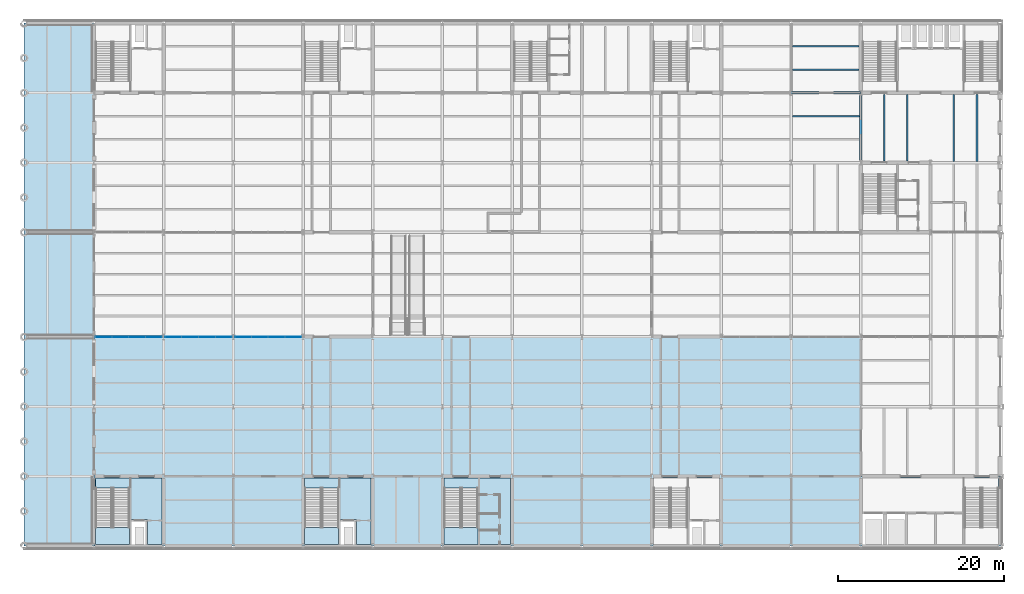
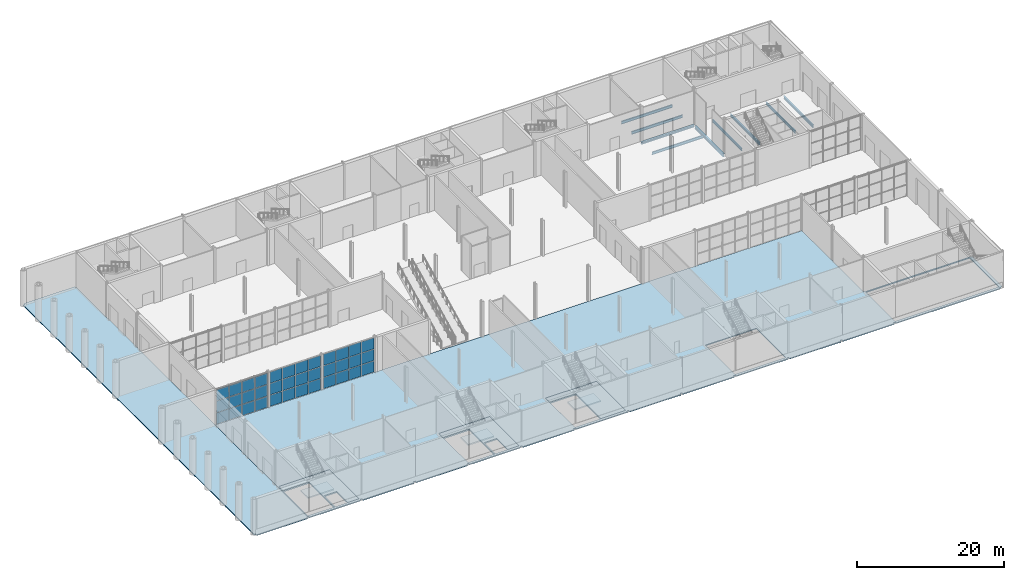
# One storey, part 26 of 55: 36 plates, 9 beams, 8 slabs, 6 elements without a shape of their own.
"""IFC4 building model written with IfcOpenShell, lengths in metres."""

from ifc_helpers import new_model, si_unit, direction, frame, origin, origin_2d, place, context, subcontext, project, spatial, polyline, rectangle, i_section, outline, extrude, material, layer, layer_set, material_profile, profile_set, type_object, element, aggregate, save


model = new_model("IFC4")

# Units and contexts
model_context = context("Model", 3, precision=1e-05, world=origin(), true_north=direction((0.0, 1.0)))
body_context = subcontext(model_context, "Body", "Model", "MODEL_VIEW")
ifc_project = project(units=[si_unit("LENGTHUNIT", "METRE"), si_unit("AREAUNIT", "SQUARE_METRE"), si_unit("VOLUMEUNIT", "CUBIC_METRE"), si_unit("PLANEANGLEUNIT", "RADIAN"), si_unit("MASSUNIT", "GRAM", prefix="KILO")], contexts=[model_context])

# Site, building, storey
site_placement = place(None, origin())
site = spatial("IfcSite", under=ifc_project, at=site_placement, CompositionType="ELEMENT")
building_placement = place(site_placement, origin())
building = spatial("IfcBuilding", under=site, at=building_placement, Name="Galleria Vessillo Department Store", CompositionType="ELEMENT")
storey_placement = place(building_placement, origin())
storey = spatial("IfcBuildingStorey", under=building, at=storey_placement, Name="L00", CompositionType="ELEMENT", Elevation=0.0)

# Beams
ifc_material_1 = material(Name="Steel S355 J2", Category="steel")
ifc_material_profile_1 = material_profile(ifc_material_1, i_section(OverallWidth=0.300048828125, OverallDepth=0.489990234375, WebThickness=0.011962890625, FlangeThickness=0.02294921875, FilletRadius=0.027099609375, at=origin_2d()), Name="HEA 500")
ifc_profile_set_1 = profile_set([ifc_material_profile_1], Name="Steel S355 J2")
beam_type_1 = type_object("IfcBeamType", Name="Floor girder HEA 500", PredefinedType="BEAM", material=ifc_profile_set_1)
beam_1_placement = place(storey_placement, frame((100.800048828125, 46.486083984375, -0.39501953125), z_axis=(0.0, 1.0, 0.0), x_axis=(-1.0, 0.0, 0.0)))
element("IfcBeam", 1, at=beam_1_placement, inside=storey, type_object=beam_type_1, Name="S-BM-L00-GI-y100800-46486", PredefinedType="BEAM", context=body_context, shape_type="SweptSolid", body=[
    extrude(i_section(OverallWidth=0.300048828125, OverallDepth=0.489990234375, WebThickness=0.011962890625, FlangeThickness=0.02294921875, FilletRadius=0.027099609375, at=origin_2d()), origin(), (0.0, 0.0, 1.0), 7.827880859375),
])
ifc_material_2 = material(Name="Steel S355 J2", Category="steel")
ifc_material_profile_2 = material_profile(ifc_material_2, i_section(OverallWidth=0.18994140625, OverallDepth=0.449951171875, WebThickness=0.009521484375, FlangeThickness=0.0146484375, FilletRadius=0.02099609375, at=origin_2d()), Name="IPE 450")
ifc_profile_set_2 = profile_set([ifc_material_profile_2], Name="Steel S355 J2")
beam_type_2 = type_object("IfcBeamType", Name="Floor joist IPE 450", PredefinedType="JOIST", material=ifc_profile_set_2)
beam_2_placement = place(storey_placement, frame((92.550048828125, 51.800048828125, -0.375), z_axis=(1.0, 0.0, 0.0), x_axis=(0.0, 1.0, 0.0)))
element("IfcBeam", 2, at=beam_2_placement, inside=storey, type_object=beam_type_2, Name="S-BM-L00-JO-x51800-92550", PredefinedType="JOIST", context=body_context, shape_type="SweptSolid", body=[
    extrude(i_section(OverallWidth=0.18994140625, OverallDepth=0.449951171875, WebThickness=0.009521484375, FlangeThickness=0.0146484375, FilletRadius=0.02099609375, at=origin_2d()), origin(), (0.0, 0.0, 1.0), 8.099853515625),
])
for number, where, z_axis, x_axis, name in (
    (3, (92.550048828125, 57.39990234375, -0.375), (1.0, 0.0, 0.0), (0.0, 1.0, 0.0), "S-BM-L00-JO-x57400-92550"),
    (4, (92.550048828125, 60.199951171875, -0.375), (1.0, 0.0, 0.0), (0.0, 1.0, 0.0), "S-BM-L00-JO-x60200-92550"),
):
    element("IfcBeam", number, at=place(storey_placement, frame(where, z_axis=z_axis, x_axis=x_axis)), inside=storey, type_object=beam_type_2, Name=name, PredefinedType="JOIST", context=body_context, shape_type="SweptSolid", body=[
        extrude(i_section(OverallWidth=0.18994140625, OverallDepth=0.449951171875, WebThickness=0.009521484375, FlangeThickness=0.0146484375, FilletRadius=0.02099609375, at=origin_2d()), origin(), (0.0, 0.0, 1.0), 8.0498046875),
    ])
for number, where, z_axis, x_axis, name in (
    (5, (103.60009765625, 46.400146484375, -0.375), (0.0, 1.0, 0.0), (-1.0, 0.0, 0.0), "S-BM-L00-JO-y103600-46400"),
    (6, (106.39990234375, 46.400146484375, -0.375), (0.0, 1.0, 0.0), (-1.0, 0.0, 0.0), "S-BM-L00-JO-y106400-46400"),
):
    element("IfcBeam", number, at=place(storey_placement, frame(where, z_axis=z_axis, x_axis=x_axis)), inside=storey, type_object=beam_type_2, Name=name, PredefinedType="JOIST", context=body_context, shape_type="SweptSolid", body=[
        extrude(i_section(OverallWidth=0.18994140625, OverallDepth=0.449951171875, WebThickness=0.009521484375, FlangeThickness=0.0146484375, FilletRadius=0.02099609375, at=origin_2d()), origin(), (0.0, 0.0, 1.0), 7.999755859375),
    ])
for number, where, z_axis, x_axis, name in (
    (7, (112.0, 46.35009765625, -0.375), (0.0, 1.0, 0.0), (-1.0, 0.0, 0.0), "S-BM-L00-JO-y112000-46350"),
    (8, (114.800048828125, 46.35009765625, -0.375), (0.0, 1.0, 0.0), (-1.0, 0.0, 0.0), "S-BM-L00-JO-y114800-46350"),
):
    element("IfcBeam", number, at=place(storey_placement, frame(where, z_axis=z_axis, x_axis=x_axis)), inside=storey, type_object=beam_type_2, Name=name, PredefinedType="JOIST", context=body_context, shape_type="SweptSolid", body=[
        extrude(i_section(OverallWidth=0.18994140625, OverallDepth=0.449951171875, WebThickness=0.009521484375, FlangeThickness=0.0146484375, FilletRadius=0.02099609375, at=origin_2d()), origin(), (0.0, 0.0, 1.0), 8.0498046875),
    ])
ifc_material_3 = material(Name="Steel S355 J2", Category="steel")
ifc_material_profile_3 = material_profile(ifc_material_3, i_section(OverallWidth=0.300048828125, OverallDepth=0.35009765625, WebThickness=0.010009765625, FlangeThickness=0.017578125, FilletRadius=0.027099609375, at=origin_2d()), Name="HEA 360")
ifc_profile_set_3 = profile_set([ifc_material_profile_3], Name="Steel S355 J2")
beam_type_3 = type_object("IfcBeamType", Name="Floor tie girder HEA 360", PredefinedType="BEAM", material=ifc_profile_set_3)
beam_3_placement = place(storey_placement, frame((92.41064453125, 54.60009765625, -0.324951171875), z_axis=(1.0, 0.0, 0.0), x_axis=(0.0, 1.0, 0.0)))
element("IfcBeam", 9, at=beam_3_placement, inside=storey, type_object=beam_type_3, Name="S-BM-L00-TI-x54600-92411", PredefinedType="BEAM", context=body_context, shape_type="SweptSolid", body=[
    extrude(i_section(OverallWidth=0.300048828125, OverallDepth=0.35009765625, WebThickness=0.010009765625, FlangeThickness=0.017578125, FilletRadius=0.027099609375, at=origin_2d()), origin(), (0.0, 0.0, 1.0), 8.378662109375),
])

# Slabs
ifc_material_4 = material(Name="Concrete C32/40 composite on steel deck", Category="concrete")
ifc_layer_1 = layer(ifc_material_4, 0.14990234375)
ifc_layer_set_1 = layer_set([ifc_layer_1], Name="Concrete C32/40 composite on steel deck")
slab_type_1 = type_object("IfcSlabType", Name="Composite floor slab 150 mm", PredefinedType="FLOOR", material=ifc_layer_set_1)
slab_1_placement = place(storey_placement, frame((0.0, 0.0, -0.14990234375)))
element("IfcSlab", 10, at=slab_1_placement, inside=storey, type_object=slab_type_1, Name="S-SLAB-L00-FLOOR-S", PredefinedType="FLOOR", context=body_context, shape_type="SweptSolid", body=[
    extrude(outline(polyline([(16.6494140625, -0.199951171875), (8.550537109375, -0.199951171875), (8.550537109375, 0.0), (8.39990234375, 0.0), (8.39990234375, 25.199951171875), (100.800048828125, 25.199951171875), (100.800048828125, 8.39990234375), (117.60009765625, 8.39990234375), (117.60009765625, 8.249267578125), (117.800048828125, 8.249267578125), (117.800048828125, 0.150634765625), (117.60009765625, 0.150634765625), (117.60009765625, 0.0), (117.349609375, 0.0), (117.349609375, -0.199951171875), (100.95068359375, -0.199951171875), (100.95068359375, 0.0), (100.6494140625, 0.0), (100.6494140625, -0.25), (92.550537109375, -0.25), (92.550537109375, 0.0), (92.249267578125, 0.0), (92.249267578125, -0.25), (84.150634765625, -0.25), (84.150634765625, 0.0), (83.849365234375, 0.0), (83.849365234375, -0.199951171875), (75.750732421875, -0.199951171875), (75.750732421875, 0.0), (75.449462890625, 0.0), (75.449462890625, -0.25), (67.3505859375, -0.25), (67.3505859375, 0.0), (67.04931640625, 0.0), (67.04931640625, -0.25), (58.95068359375, -0.25), (58.95068359375, 0.0), (58.6494140625, 0.0), (58.6494140625, -0.199951171875), (50.550537109375, -0.199951171875), (50.550537109375, 0.0), (50.249267578125, 0.0), (50.249267578125, -0.25), (42.150634765625, -0.25), (42.150634765625, 0.0), (41.849365234375, 0.0), (41.849365234375, -0.199951171875), (33.750732421875, -0.199951171875), (33.750732421875, 0.0), (33.449462890625, 0.0), (33.449462890625, -0.25), (25.3505859375, -0.25), (25.3505859375, 0.0), (25.04931640625, 0.0), (25.04931640625, -0.25), (16.95068359375, -0.25), (16.95068359375, 0.0), (16.6494140625, 0.0), (16.6494140625, -0.199951171875)]), holes=[polyline([(8.599853515625, 8.199951171875), (8.599853515625, 0.199951171875), (16.60009765625, 0.199951171875), (16.60009765625, 8.199951171875), (8.599853515625, 8.199951171875)]), polyline([(33.800048828125, 8.199951171875), (33.800048828125, 0.199951171875), (41.800048828125, 0.199951171875), (41.800048828125, 8.199951171875), (33.800048828125, 8.199951171875)]), polyline([(50.599853515625, 8.199951171875), (50.599853515625, 0.199951171875), (58.60009765625, 0.199951171875), (58.60009765625, 8.199951171875), (50.599853515625, 8.199951171875)]), polyline([(83.800048828125, 8.199951171875), (75.800048828125, 8.199951171875), (75.800048828125, 0.199951171875), (83.800048828125, 0.199951171875), (83.800048828125, 8.199951171875)]), polyline([(117.400146484375, 8.199951171875), (101.0, 8.199951171875), (101.0, 0.199951171875), (117.400146484375, 0.199951171875), (117.400146484375, 8.199951171875)])]), origin(), (0.0, 0.0, 1.0), 0.14990234375),
])
ifc_material_5 = material(Name="Concrete C32/40 composite on steel deck", Category="concrete")
ifc_layer_2 = layer(ifc_material_5, 0.14990234375)
ifc_layer_set_2 = layer_set([ifc_layer_2], Name="Concrete C32/40 composite on steel deck")
slab_type_2 = type_object("IfcSlabType", Name="Composite portico floor slab 150 mm", PredefinedType="FLOOR", material=ifc_layer_set_2)
slab_2_placement = place(storey_placement, frame((0.0, 0.0, -0.14990234375)))
element("IfcSlab", 11, at=slab_2_placement, inside=storey, type_object=slab_type_2, Name="S-SLAB-L00-PORTICO", PredefinedType="FLOOR", context=body_context, shape_type="SweptSolid", body=[
    extrude(outline(polyline([(0.25048828125, -0.25), (8.249267578125, -0.25), (8.249267578125, 0.0), (8.39990234375, 0.0), (8.39990234375, 63.0), (8.249267578125, 63.0), (8.249267578125, 63.25), (0.25048828125, 63.25), (0.25048828125, 63.0), (0.0, 63.0), (0.0, 0.0), (0.25048828125, 0.0), (0.25048828125, -0.25)])), origin(), (0.0, 0.0, 1.0), 0.14990234375),
])

# Curtain wall, plates
ifc_material_6 = material(Name="Aluminium and glass curtain wall", Category="aluminium")
ifc_layer_3 = layer(ifc_material_6, 0.159912109375)
ifc_layer_set_3 = layer_set([ifc_layer_3], Name="Aluminium and glass curtain wall")
curtain_wall_type_1 = type_object("IfcCurtainWallType", Name="Arcade portal glazing CW2 2100 module", PredefinedType="NOTDEFINED", material=ifc_layer_set_3)
curtain_wall_1_placement = place(storey_placement, origin())
curtain_wall_1 = element("IfcCurtainWall", 12, at=curtain_wall_1_placement, inside=storey, type_object=curtain_wall_type_1, Name="Arcade portal glazing CW2 2100 module PW-W-S-L00-01", PredefinedType="NOTDEFINED")
ifc_material_7 = material(Name="Glass laminated 44.2 low-e", Category="glass")
ifc_layer_4 = layer(ifc_material_7, 0.028076171875)
ifc_layer_set_4 = layer_set([ifc_layer_4], Name="Glass laminated 44.2 low-e")
plate_type_1 = type_object("IfcPlateType", Name="Laminated glass panel 28 mm", PredefinedType="CURTAIN_PANEL", material=ifc_layer_set_4)
plate_1_placement = place(storey_placement, frame((9.576904296875, 25.199951171875, 0.06005859375), z_axis=(0.0, 0.0, 1.0), x_axis=(1.0, 0.0, 0.0)))
plate_1 = element("IfcPlate", 13, at=plate_1_placement, type_object=plate_type_1, Name="CW2 panel 1.1", PredefinedType="CURTAIN_PANEL", context=body_context, shape_type="SweptSolid", body=[
    extrude(rectangle(XDim=1.94873046875, YDim=0.028076171875, at=origin_2d()), origin(), (0.0, 0.0, 1.0), 1.860107421875),
])
plate_2_placement = place(storey_placement, frame((9.576904296875, 25.199951171875, 1.97998046875), z_axis=(0.0, 0.0, 1.0), x_axis=(1.0, 0.0, 0.0)))
plate_2 = element("IfcPlate", 14, at=plate_2_placement, type_object=plate_type_1, Name="CW2 panel 1.2", PredefinedType="CURTAIN_PANEL", context=body_context, shape_type="SweptSolid", body=[
    extrude(rectangle(XDim=1.94873046875, YDim=0.028076171875, at=origin_2d()), origin(), (0.0, 0.0, 1.0), 1.89013671875),
])
plate_3_placement = place(storey_placement, frame((9.576904296875, 25.199951171875, 3.93017578125), z_axis=(0.0, 0.0, 1.0), x_axis=(1.0, 0.0, 0.0)))
plate_3 = element("IfcPlate", 15, at=plate_3_placement, type_object=plate_type_1, Name="CW2 panel 1.3", PredefinedType="CURTAIN_PANEL", context=body_context, shape_type="SweptSolid", body=[
    extrude(rectangle(XDim=1.94873046875, YDim=0.028076171875, at=origin_2d()), origin(), (0.0, 0.0, 1.0), 1.860107421875),
])
plate_4_placement = place(storey_placement, frame((11.588134765625, 25.199951171875, 0.06005859375), z_axis=(0.0, 0.0, 1.0), x_axis=(1.0, 0.0, 0.0)))
plate_4 = element("IfcPlate", 16, at=plate_4_placement, type_object=plate_type_1, Name="CW2 panel 2.1", PredefinedType="CURTAIN_PANEL", context=body_context, shape_type="SweptSolid", body=[
    extrude(rectangle(XDim=1.9736328125, YDim=0.028076171875, at=origin_2d()), origin(), (0.0, 0.0, 1.0), 1.860107421875),
])
plate_5_placement = place(storey_placement, frame((11.588134765625, 25.199951171875, 1.97998046875), z_axis=(0.0, 0.0, 1.0), x_axis=(1.0, 0.0, 0.0)))
plate_5 = element("IfcPlate", 17, at=plate_5_placement, type_object=plate_type_1, Name="CW2 panel 2.2", PredefinedType="CURTAIN_PANEL", context=body_context, shape_type="SweptSolid", body=[
    extrude(rectangle(XDim=1.9736328125, YDim=0.028076171875, at=origin_2d()), origin(), (0.0, 0.0, 1.0), 1.89013671875),
])
plate_6_placement = place(storey_placement, frame((11.588134765625, 25.199951171875, 3.93017578125), z_axis=(0.0, 0.0, 1.0), x_axis=(1.0, 0.0, 0.0)))
plate_6 = element("IfcPlate", 18, at=plate_6_placement, type_object=plate_type_1, Name="CW2 panel 2.3", PredefinedType="CURTAIN_PANEL", context=body_context, shape_type="SweptSolid", body=[
    extrude(rectangle(XDim=1.9736328125, YDim=0.028076171875, at=origin_2d()), origin(), (0.0, 0.0, 1.0), 1.860107421875),
])
plate_7_placement = place(storey_placement, frame((13.61181640625, 25.199951171875, 0.06005859375), z_axis=(0.0, 0.0, 1.0), x_axis=(1.0, 0.0, 0.0)))
plate_7 = element("IfcPlate", 19, at=plate_7_placement, type_object=plate_type_1, Name="CW2 panel 3.1", PredefinedType="CURTAIN_PANEL", context=body_context, shape_type="SweptSolid", body=[
    extrude(rectangle(XDim=1.9736328125, YDim=0.028076171875, at=origin_2d()), origin(), (0.0, 0.0, 1.0), 1.860107421875),
])
plate_8_placement = place(storey_placement, frame((13.61181640625, 25.199951171875, 1.97998046875), z_axis=(0.0, 0.0, 1.0), x_axis=(1.0, 0.0, 0.0)))
plate_8 = element("IfcPlate", 20, at=plate_8_placement, type_object=plate_type_1, Name="CW2 panel 3.2", PredefinedType="CURTAIN_PANEL", context=body_context, shape_type="SweptSolid", body=[
    extrude(rectangle(XDim=1.9736328125, YDim=0.028076171875, at=origin_2d()), origin(), (0.0, 0.0, 1.0), 1.89013671875),
])
plate_9_placement = place(storey_placement, frame((13.61181640625, 25.199951171875, 3.93017578125), z_axis=(0.0, 0.0, 1.0), x_axis=(1.0, 0.0, 0.0)))
plate_9 = element("IfcPlate", 21, at=plate_9_placement, type_object=plate_type_1, Name="CW2 panel 3.3", PredefinedType="CURTAIN_PANEL", context=body_context, shape_type="SweptSolid", body=[
    extrude(rectangle(XDim=1.9736328125, YDim=0.028076171875, at=origin_2d()), origin(), (0.0, 0.0, 1.0), 1.860107421875),
])
plate_10_placement = place(storey_placement, frame((15.623046875, 25.199951171875, 0.06005859375), z_axis=(0.0, 0.0, 1.0), x_axis=(1.0, 0.0, 0.0)))
plate_10 = element("IfcPlate", 22, at=plate_10_placement, type_object=plate_type_1, Name="CW2 panel 4.1", PredefinedType="CURTAIN_PANEL", context=body_context, shape_type="SweptSolid", body=[
    extrude(rectangle(XDim=1.94873046875, YDim=0.028076171875, at=origin_2d()), origin(), (0.0, 0.0, 1.0), 1.860107421875),
])
plate_11_placement = place(storey_placement, frame((15.623046875, 25.199951171875, 1.97998046875), z_axis=(0.0, 0.0, 1.0), x_axis=(1.0, 0.0, 0.0)))
plate_11 = element("IfcPlate", 23, at=plate_11_placement, type_object=plate_type_1, Name="CW2 panel 4.2", PredefinedType="CURTAIN_PANEL", context=body_context, shape_type="SweptSolid", body=[
    extrude(rectangle(XDim=1.94873046875, YDim=0.028076171875, at=origin_2d()), origin(), (0.0, 0.0, 1.0), 1.89013671875),
])
plate_12_placement = place(storey_placement, frame((15.623046875, 25.199951171875, 3.93017578125), z_axis=(0.0, 0.0, 1.0), x_axis=(1.0, 0.0, 0.0)))
plate_12 = element("IfcPlate", 24, at=plate_12_placement, type_object=plate_type_1, Name="CW2 panel 4.3", PredefinedType="CURTAIN_PANEL", context=body_context, shape_type="SweptSolid", body=[
    extrude(rectangle(XDim=1.94873046875, YDim=0.028076171875, at=origin_2d()), origin(), (0.0, 0.0, 1.0), 1.860107421875),
])
aggregate(curtain_wall_1, [plate_1, plate_2, plate_3, plate_4, plate_5, plate_6, plate_7, plate_8, plate_9, plate_10, plate_11, plate_12])

ifc_material_8 = material(Name="Aluminium and glass curtain wall", Category="aluminium")
ifc_layer_5 = layer(ifc_material_8, 0.199951171875)
ifc_layer_set_5 = layer_set([ifc_layer_5], Name="Aluminium and glass curtain wall")
curtain_wall_type_2 = type_object("IfcCurtainWallType", Name="Arcade curtain wall CW1 2100 module", PredefinedType="NOTDEFINED", material=ifc_layer_set_5)
curtain_wall_2_placement = place(storey_placement, origin())
curtain_wall_2 = element("IfcCurtainWall", 25, at=curtain_wall_2_placement, inside=storey, type_object=curtain_wall_type_2, Name="Arcade curtain wall CW1 2100 module AI-AW-S-L00-01", PredefinedType="NOTDEFINED")
ifc_material_9 = material(Name="Glass laminated 44.2 low-e", Category="glass")
ifc_layer_6 = layer(ifc_material_9, 0.031982421875)
ifc_layer_set_6 = layer_set([ifc_layer_6], Name="Glass laminated 44.2 low-e")
plate_type_2 = type_object("IfcPlateType", Name="Laminated glass panel 32 mm", PredefinedType="CURTAIN_PANEL", material=ifc_layer_set_6)
plate_13_placement = place(storey_placement, frame((17.9794921875, 25.199951171875, 0.06982421875), z_axis=(0.0, 0.0, 1.0), x_axis=(1.0, 0.0, 0.0)))
plate_13 = element("IfcPlate", 26, at=plate_13_placement, type_object=plate_type_2, Name="CW1 panel 1.1", PredefinedType="CURTAIN_PANEL", context=body_context, shape_type="SweptSolid", body=[
    extrude(rectangle(XDim=1.93359375, YDim=0.031982421875, at=origin_2d()), origin(), (0.0, 0.0, 1.0), 1.844970703125),
])
plate_14_placement = place(storey_placement, frame((17.9794921875, 25.199951171875, 1.98486328125), z_axis=(0.0, 0.0, 1.0), x_axis=(1.0, 0.0, 0.0)))
plate_14 = element("IfcPlate", 27, at=plate_14_placement, type_object=plate_type_2, Name="CW1 panel 1.2", PredefinedType="CURTAIN_PANEL", context=body_context, shape_type="SweptSolid", body=[
    extrude(rectangle(XDim=1.93359375, YDim=0.031982421875, at=origin_2d()), origin(), (0.0, 0.0, 1.0), 1.880126953125),
])
plate_15_placement = place(storey_placement, frame((17.9794921875, 25.199951171875, 3.93505859375), z_axis=(0.0, 0.0, 1.0), x_axis=(1.0, 0.0, 0.0)))
plate_15 = element("IfcPlate", 28, at=plate_15_placement, type_object=plate_type_2, Name="CW1 panel 1.3", PredefinedType="CURTAIN_PANEL", context=body_context, shape_type="SweptSolid", body=[
    extrude(rectangle(XDim=1.93359375, YDim=0.031982421875, at=origin_2d()), origin(), (0.0, 0.0, 1.0), 1.844970703125),
])
plate_16_placement = place(storey_placement, frame((19.988037109375, 25.199951171875, 0.06982421875), z_axis=(0.0, 0.0, 1.0), x_axis=(1.0, 0.0, 0.0)))
plate_16 = element("IfcPlate", 29, at=plate_16_placement, type_object=plate_type_2, Name="CW1 panel 2.1", PredefinedType="CURTAIN_PANEL", context=body_context, shape_type="SweptSolid", body=[
    extrude(rectangle(XDim=1.963623046875, YDim=0.031982421875, at=origin_2d()), origin(), (0.0, 0.0, 1.0), 1.844970703125),
])
plate_17_placement = place(storey_placement, frame((19.988037109375, 25.199951171875, 1.98486328125), z_axis=(0.0, 0.0, 1.0), x_axis=(1.0, 0.0, 0.0)))
plate_17 = element("IfcPlate", 30, at=plate_17_placement, type_object=plate_type_2, Name="CW1 panel 2.2", PredefinedType="CURTAIN_PANEL", context=body_context, shape_type="SweptSolid", body=[
    extrude(rectangle(XDim=1.963623046875, YDim=0.031982421875, at=origin_2d()), origin(), (0.0, 0.0, 1.0), 1.880126953125),
])
plate_18_placement = place(storey_placement, frame((19.988037109375, 25.199951171875, 3.93505859375), z_axis=(0.0, 0.0, 1.0), x_axis=(1.0, 0.0, 0.0)))
plate_18 = element("IfcPlate", 31, at=plate_18_placement, type_object=plate_type_2, Name="CW1 panel 2.3", PredefinedType="CURTAIN_PANEL", context=body_context, shape_type="SweptSolid", body=[
    extrude(rectangle(XDim=1.963623046875, YDim=0.031982421875, at=origin_2d()), origin(), (0.0, 0.0, 1.0), 1.844970703125),
])
plate_19_placement = place(storey_placement, frame((22.011474609375, 25.199951171875, 0.06982421875), z_axis=(0.0, 0.0, 1.0), x_axis=(1.0, 0.0, 0.0)))
plate_19 = element("IfcPlate", 32, at=plate_19_placement, type_object=plate_type_2, Name="CW1 panel 3.1", PredefinedType="CURTAIN_PANEL", context=body_context, shape_type="SweptSolid", body=[
    extrude(rectangle(XDim=1.963623046875, YDim=0.031982421875, at=origin_2d()), origin(), (0.0, 0.0, 1.0), 1.844970703125),
])
plate_20_placement = place(storey_placement, frame((22.011474609375, 25.199951171875, 1.98486328125), z_axis=(0.0, 0.0, 1.0), x_axis=(1.0, 0.0, 0.0)))
plate_20 = element("IfcPlate", 33, at=plate_20_placement, type_object=plate_type_2, Name="CW1 panel 3.2", PredefinedType="CURTAIN_PANEL", context=body_context, shape_type="SweptSolid", body=[
    extrude(rectangle(XDim=1.963623046875, YDim=0.031982421875, at=origin_2d()), origin(), (0.0, 0.0, 1.0), 1.880126953125),
])
plate_21_placement = place(storey_placement, frame((22.011474609375, 25.199951171875, 3.93505859375), z_axis=(0.0, 0.0, 1.0), x_axis=(1.0, 0.0, 0.0)))
plate_21 = element("IfcPlate", 34, at=plate_21_placement, type_object=plate_type_2, Name="CW1 panel 3.3", PredefinedType="CURTAIN_PANEL", context=body_context, shape_type="SweptSolid", body=[
    extrude(rectangle(XDim=1.963623046875, YDim=0.031982421875, at=origin_2d()), origin(), (0.0, 0.0, 1.0), 1.844970703125),
])
plate_22_placement = place(storey_placement, frame((24.02001953125, 25.199951171875, 0.06982421875), z_axis=(0.0, 0.0, 1.0), x_axis=(1.0, 0.0, 0.0)))
plate_22 = element("IfcPlate", 35, at=plate_22_placement, type_object=plate_type_2, Name="CW1 panel 4.1", PredefinedType="CURTAIN_PANEL", context=body_context, shape_type="SweptSolid", body=[
    extrude(rectangle(XDim=1.93359375, YDim=0.031982421875, at=origin_2d()), origin(), (0.0, 0.0, 1.0), 1.844970703125),
])
plate_23_placement = place(storey_placement, frame((24.02001953125, 25.199951171875, 1.98486328125), z_axis=(0.0, 0.0, 1.0), x_axis=(1.0, 0.0, 0.0)))
plate_23 = element("IfcPlate", 36, at=plate_23_placement, type_object=plate_type_2, Name="CW1 panel 4.2", PredefinedType="CURTAIN_PANEL", context=body_context, shape_type="SweptSolid", body=[
    extrude(rectangle(XDim=1.93359375, YDim=0.031982421875, at=origin_2d()), origin(), (0.0, 0.0, 1.0), 1.880126953125),
])
plate_24_placement = place(storey_placement, frame((24.02001953125, 25.199951171875, 3.93505859375), z_axis=(0.0, 0.0, 1.0), x_axis=(1.0, 0.0, 0.0)))
plate_24 = element("IfcPlate", 37, at=plate_24_placement, type_object=plate_type_2, Name="CW1 panel 4.3", PredefinedType="CURTAIN_PANEL", context=body_context, shape_type="SweptSolid", body=[
    extrude(rectangle(XDim=1.93359375, YDim=0.031982421875, at=origin_2d()), origin(), (0.0, 0.0, 1.0), 1.844970703125),
])
aggregate(curtain_wall_2, [plate_13, plate_14, plate_15, plate_16, plate_17, plate_18, plate_19, plate_20, plate_21, plate_22, plate_23, plate_24])

curtain_wall_3_placement = place(storey_placement, origin())
curtain_wall_3 = element("IfcCurtainWall", 38, at=curtain_wall_3_placement, inside=storey, type_object=curtain_wall_type_2, Name="Arcade curtain wall CW1 2100 module AI-AW-S-L00-02", PredefinedType="NOTDEFINED")
plate_25_placement = place(storey_placement, frame((26.3798828125, 25.199951171875, 0.06982421875), z_axis=(0.0, 0.0, 1.0), x_axis=(1.0, 0.0, 0.0)))
plate_25 = element("IfcPlate", 39, at=plate_25_placement, type_object=plate_type_2, Name="CW1 panel 1.1", PredefinedType="CURTAIN_PANEL", context=body_context, shape_type="SweptSolid", body=[
    extrude(rectangle(XDim=1.93359375, YDim=0.031982421875, at=origin_2d()), origin(), (0.0, 0.0, 1.0), 1.844970703125),
])
plate_26_placement = place(storey_placement, frame((26.3798828125, 25.199951171875, 1.98486328125), z_axis=(0.0, 0.0, 1.0), x_axis=(1.0, 0.0, 0.0)))
plate_26 = element("IfcPlate", 40, at=plate_26_placement, type_object=plate_type_2, Name="CW1 panel 1.2", PredefinedType="CURTAIN_PANEL", context=body_context, shape_type="SweptSolid", body=[
    extrude(rectangle(XDim=1.93359375, YDim=0.031982421875, at=origin_2d()), origin(), (0.0, 0.0, 1.0), 1.880126953125),
])
plate_27_placement = place(storey_placement, frame((26.3798828125, 25.199951171875, 3.93505859375), z_axis=(0.0, 0.0, 1.0), x_axis=(1.0, 0.0, 0.0)))
plate_27 = element("IfcPlate", 41, at=plate_27_placement, type_object=plate_type_2, Name="CW1 panel 1.3", PredefinedType="CURTAIN_PANEL", context=body_context, shape_type="SweptSolid", body=[
    extrude(rectangle(XDim=1.93359375, YDim=0.031982421875, at=origin_2d()), origin(), (0.0, 0.0, 1.0), 1.844970703125),
])
plate_28_placement = place(storey_placement, frame((28.388427734375, 25.199951171875, 0.06982421875), z_axis=(0.0, 0.0, 1.0), x_axis=(1.0, 0.0, 0.0)))
plate_28 = element("IfcPlate", 42, at=plate_28_placement, type_object=plate_type_2, Name="CW1 panel 2.1", PredefinedType="CURTAIN_PANEL", context=body_context, shape_type="SweptSolid", body=[
    extrude(rectangle(XDim=1.963623046875, YDim=0.031982421875, at=origin_2d()), origin(), (0.0, 0.0, 1.0), 1.844970703125),
])
plate_29_placement = place(storey_placement, frame((28.388427734375, 25.199951171875, 1.98486328125), z_axis=(0.0, 0.0, 1.0), x_axis=(1.0, 0.0, 0.0)))
plate_29 = element("IfcPlate", 43, at=plate_29_placement, type_object=plate_type_2, Name="CW1 panel 2.2", PredefinedType="CURTAIN_PANEL", context=body_context, shape_type="SweptSolid", body=[
    extrude(rectangle(XDim=1.963623046875, YDim=0.031982421875, at=origin_2d()), origin(), (0.0, 0.0, 1.0), 1.880126953125),
])
plate_30_placement = place(storey_placement, frame((28.388427734375, 25.199951171875, 3.93505859375), z_axis=(0.0, 0.0, 1.0), x_axis=(1.0, 0.0, 0.0)))
plate_30 = element("IfcPlate", 44, at=plate_30_placement, type_object=plate_type_2, Name="CW1 panel 2.3", PredefinedType="CURTAIN_PANEL", context=body_context, shape_type="SweptSolid", body=[
    extrude(rectangle(XDim=1.963623046875, YDim=0.031982421875, at=origin_2d()), origin(), (0.0, 0.0, 1.0), 1.844970703125),
])
plate_31_placement = place(storey_placement, frame((30.412109375, 25.199951171875, 0.06982421875), z_axis=(0.0, 0.0, 1.0), x_axis=(1.0, 0.0, 0.0)))
plate_31 = element("IfcPlate", 45, at=plate_31_placement, type_object=plate_type_2, Name="CW1 panel 3.1", PredefinedType="CURTAIN_PANEL", context=body_context, shape_type="SweptSolid", body=[
    extrude(rectangle(XDim=1.963623046875, YDim=0.031982421875, at=origin_2d()), origin(), (0.0, 0.0, 1.0), 1.844970703125),
])
plate_32_placement = place(storey_placement, frame((30.412109375, 25.199951171875, 1.98486328125), z_axis=(0.0, 0.0, 1.0), x_axis=(1.0, 0.0, 0.0)))
plate_32 = element("IfcPlate", 46, at=plate_32_placement, type_object=plate_type_2, Name="CW1 panel 3.2", PredefinedType="CURTAIN_PANEL", context=body_context, shape_type="SweptSolid", body=[
    extrude(rectangle(XDim=1.963623046875, YDim=0.031982421875, at=origin_2d()), origin(), (0.0, 0.0, 1.0), 1.880126953125),
])
plate_33_placement = place(storey_placement, frame((30.412109375, 25.199951171875, 3.93505859375), z_axis=(0.0, 0.0, 1.0), x_axis=(1.0, 0.0, 0.0)))
plate_33 = element("IfcPlate", 47, at=plate_33_placement, type_object=plate_type_2, Name="CW1 panel 3.3", PredefinedType="CURTAIN_PANEL", context=body_context, shape_type="SweptSolid", body=[
    extrude(rectangle(XDim=1.963623046875, YDim=0.031982421875, at=origin_2d()), origin(), (0.0, 0.0, 1.0), 1.844970703125),
])
plate_34_placement = place(storey_placement, frame((32.420654296875, 25.199951171875, 0.06982421875), z_axis=(0.0, 0.0, 1.0), x_axis=(1.0, 0.0, 0.0)))
plate_34 = element("IfcPlate", 48, at=plate_34_placement, type_object=plate_type_2, Name="CW1 panel 4.1", PredefinedType="CURTAIN_PANEL", context=body_context, shape_type="SweptSolid", body=[
    extrude(rectangle(XDim=1.93359375, YDim=0.031982421875, at=origin_2d()), origin(), (0.0, 0.0, 1.0), 1.844970703125),
])
plate_35_placement = place(storey_placement, frame((32.420654296875, 25.199951171875, 1.98486328125), z_axis=(0.0, 0.0, 1.0), x_axis=(1.0, 0.0, 0.0)))
plate_35 = element("IfcPlate", 49, at=plate_35_placement, type_object=plate_type_2, Name="CW1 panel 4.2", PredefinedType="CURTAIN_PANEL", context=body_context, shape_type="SweptSolid", body=[
    extrude(rectangle(XDim=1.93359375, YDim=0.031982421875, at=origin_2d()), origin(), (0.0, 0.0, 1.0), 1.880126953125),
])
plate_36_placement = place(storey_placement, frame((32.420654296875, 25.199951171875, 3.93505859375), z_axis=(0.0, 0.0, 1.0), x_axis=(1.0, 0.0, 0.0)))
plate_36 = element("IfcPlate", 50, at=plate_36_placement, type_object=plate_type_2, Name="CW1 panel 4.3", PredefinedType="CURTAIN_PANEL", context=body_context, shape_type="SweptSolid", body=[
    extrude(rectangle(XDim=1.93359375, YDim=0.031982421875, at=origin_2d()), origin(), (0.0, 0.0, 1.0), 1.844970703125),
])
aggregate(curtain_wall_3, [plate_25, plate_26, plate_27, plate_28, plate_29, plate_30, plate_31, plate_32, plate_33, plate_34, plate_35, plate_36])

# Slabs
ifc_material_10 = material(Name="Concrete C32/40 reinforced", Category="concrete")
ifc_layer_7 = layer(ifc_material_10, 0.219970703125)
ifc_layer_set_7 = layer_set([ifc_layer_7], Name="Concrete C32/40 reinforced")
slab_type_3 = type_object("IfcSlabType", Name="Reinforced concrete core floor slab 220 mm", PredefinedType="FLOOR", material=ifc_layer_set_7)
slab_3_placement = place(storey_placement, frame((0.0, 0.0, -0.219970703125)))
element("IfcSlab", 51, at=slab_3_placement, inside=storey, type_object=slab_type_3, Name="S-SLAB-L00-CORE-PC-SW", PredefinedType="FLOOR", context=body_context, shape_type="SweptSolid", body=[
    extrude(outline(polyline([(8.599853515625, 8.199951171875), (16.60009765625, 8.199951171875), (16.60009765625, 0.199951171875), (14.85009765625, 0.199951171875), (14.85009765625, 3.199951171875), (12.89990234375, 3.199951171875), (12.89990234375, 0.199951171875), (12.699951171875, 0.199951171875), (12.699951171875, 7.0), (8.60009765625, 7.0), (8.60009765625, 0.199951171875), (8.599853515625, 8.199951171875)])), origin(), (0.0, 0.0, 1.0), 0.219970703125),
])
slab_4_placement = place(storey_placement, frame((0.0, 0.0, -0.219970703125)))
element("IfcSlab", 52, at=slab_4_placement, inside=storey, type_object=slab_type_3, Name="S-SLAB-L00-CORE-PC-SM", PredefinedType="FLOOR", context=body_context, shape_type="SweptSolid", body=[
    extrude(outline(polyline([(33.800048828125, 8.199951171875), (41.800048828125, 8.199951171875), (41.800048828125, 0.199951171875), (40.050048828125, 0.199951171875), (40.050048828125, 3.199951171875), (38.10009765625, 3.199951171875), (38.10009765625, 0.199951171875), (37.89990234375, 0.199951171875), (37.89990234375, 7.0), (33.800048828125, 7.0), (33.800048828125, 8.199951171875)])), origin(), (0.0, 0.0, 1.0), 0.219970703125),
])
slab_5_placement = place(storey_placement, frame((0.0, 0.0, -0.219970703125)))
element("IfcSlab", 53, at=slab_5_placement, inside=storey, type_object=slab_type_3, Name="S-SLAB-L00-CORE-PC-SC", PredefinedType="FLOOR", context=body_context, shape_type="SweptSolid", body=[
    extrude(outline(polyline([(50.599853515625, 8.199951171875), (58.60009765625, 8.199951171875), (58.60009765625, 0.199951171875), (54.699951171875, 0.199951171875), (54.699951171875, 7.0), (50.60009765625, 7.0), (50.60009765625, 0.199951171875), (50.599853515625, 8.199951171875)])), origin(), (0.0, 0.0, 1.0), 0.219970703125),
])

# Stair, slab
ifc_material_11 = material(Name="Concrete C32/40", Category="concrete")
stair_type = type_object("IfcStairType", Name="Half-turn escape stair 2000 mm, 36 risers of 167 mm", PredefinedType="HALF_TURN_STAIR", material=ifc_material_11)
stair_1_placement = place(storey_placement, origin())
stair_1 = element("IfcStair", 54, at=stair_1_placement, inside=storey, type_object=stair_type, Name="Stair ST1 L00", PredefinedType="HALF_TURN_STAIR")
ifc_material_12 = material(Name="Concrete C32/40", Category="concrete")
ifc_layer_8 = layer(ifc_material_12, 0.199951171875)
ifc_layer_set_8 = layer_set([ifc_layer_8], Name="Concrete C32/40")
slab_type_4 = type_object("IfcSlabType", Name="Stair half landing 4100 x 2040 mm", PredefinedType="LANDING", material=ifc_layer_set_8)
slab_6_placement = place(storey_placement, frame((0.0, 0.0, 2.800048828125)))
slab_6 = element("IfcSlab", 55, at=slab_6_placement, type_object=slab_type_4, Name="ST1 landing 1", PredefinedType="LANDING", context=body_context, shape_type="SweptSolid", body=[
    extrude(outline(polyline([(8.599853515625, 0.199951171875), (8.599853515625, 2.239990234375), (12.699951171875, 2.239990234375), (12.699951171875, 0.199951171875), (8.599853515625, 0.199951171875)])), origin(), (0.0, 0.0, 1.0), 0.199951171875),
])
aggregate(stair_1, [slab_6])

stair_2_placement = place(storey_placement, origin())
stair_2 = element("IfcStair", 56, at=stair_2_placement, inside=storey, type_object=stair_type, Name="Stair ST3 L00", PredefinedType="HALF_TURN_STAIR")
slab_7_placement = place(storey_placement, frame((0.0, 0.0, 2.800048828125)))
slab_7 = element("IfcSlab", 57, at=slab_7_placement, type_object=slab_type_4, Name="ST3 landing 1", PredefinedType="LANDING", context=body_context, shape_type="SweptSolid", body=[
    extrude(outline(polyline([(33.800048828125, 0.199951171875), (33.800048828125, 2.239990234375), (37.900146484375, 2.239990234375), (37.900146484375, 0.199951171875), (33.800048828125, 0.199951171875)])), origin(), (0.0, 0.0, 1.0), 0.199951171875),
])
aggregate(stair_2, [slab_7])

stair_3_placement = place(storey_placement, origin())
stair_3 = element("IfcStair", 58, at=stair_3_placement, inside=storey, type_object=stair_type, Name="Stair ST10 L00", PredefinedType="HALF_TURN_STAIR")
slab_8_placement = place(storey_placement, frame((0.0, 0.0, 2.800048828125)))
slab_8 = element("IfcSlab", 59, at=slab_8_placement, type_object=slab_type_4, Name="ST10 landing 1", PredefinedType="LANDING", context=body_context, shape_type="SweptSolid", body=[
    extrude(outline(polyline([(50.599853515625, 0.199951171875), (50.599853515625, 2.239990234375), (54.699951171875, 2.239990234375), (54.699951171875, 0.199951171875), (50.599853515625, 0.199951171875)])), origin(), (0.0, 0.0, 1.0), 0.199951171875),
])
aggregate(stair_3, [slab_8])

save(model, "model.ifc")
